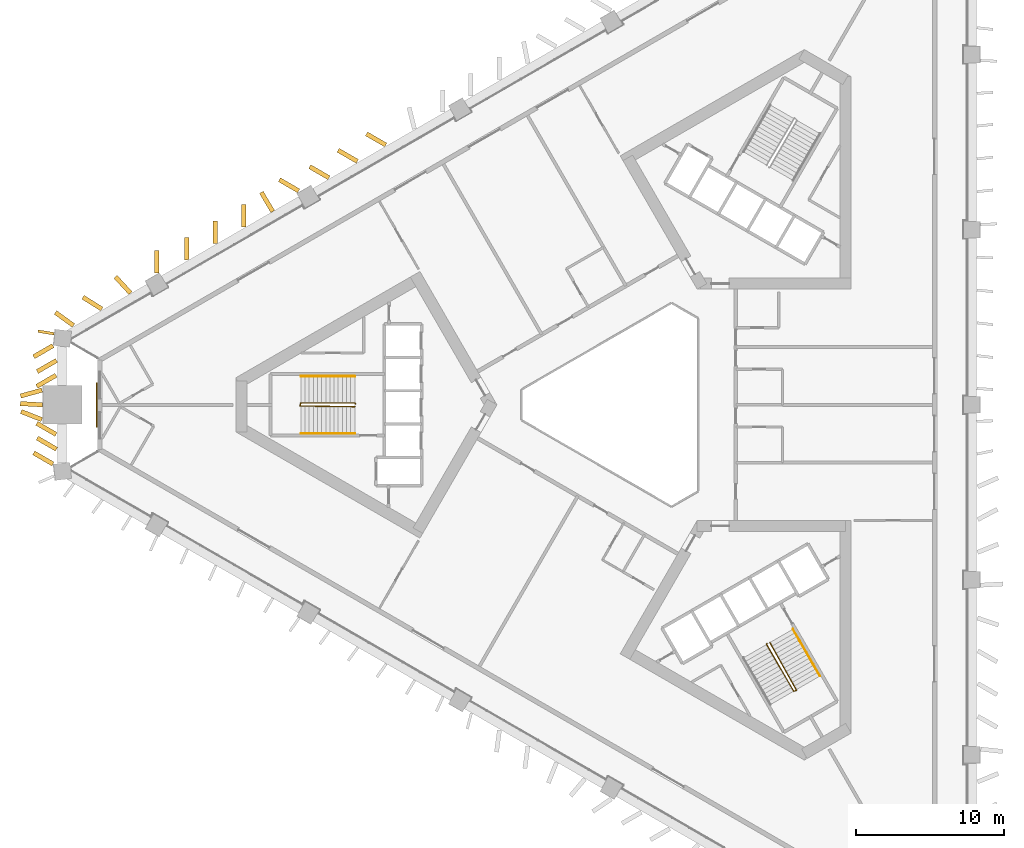
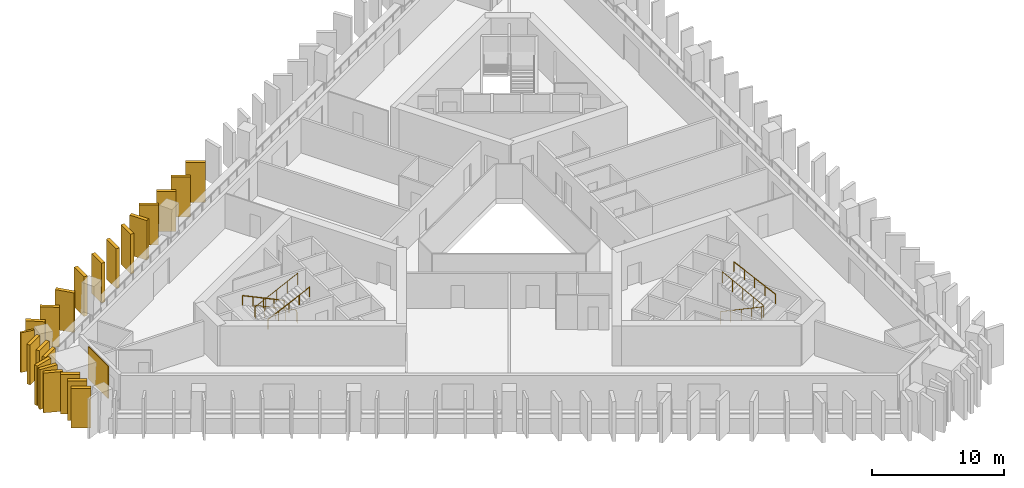
# One storey, part 9 of 11: 22 shading devices, 5 railings, 1 covering.
"""IFC4 building model written with IfcOpenShell, lengths in metres."""

from ifc_helpers import new_model, si_unit, direction, frame, frame_2d, origin, origin_2d, place, context, subcontext, project, spatial, rectangle, circle, extrude, material, layer, layer_set, type_object, element, save


model = new_model("IFC4")

# Units and contexts
model_context = context("Model", 3, precision=1e-05, world=origin(), true_north=direction((0.0, 1.0)))
body_context = subcontext(model_context, "Body", "Model", "MODEL_VIEW")
ifc_project = project(units=[si_unit("LENGTHUNIT", "METRE"), si_unit("AREAUNIT", "SQUARE_METRE"), si_unit("VOLUMEUNIT", "CUBIC_METRE"), si_unit("PLANEANGLEUNIT", "RADIAN"), si_unit("MASSUNIT", "GRAM", prefix="KILO")], contexts=[model_context])

# Site, building, storey
site_placement = place(None, origin())
site = spatial("IfcSite", under=ifc_project, at=site_placement, CompositionType="ELEMENT")
building_placement = place(site_placement, origin())
building = spatial("IfcBuilding", under=site, at=building_placement, Name="Jabali Bay Hotel Tower and Convention Centre", CompositionType="ELEMENT")
storey_placement = place(building_placement, frame((0.0, 0.0, 79.5)))
storey = spatial("IfcBuildingStorey", under=building, at=storey_placement, Name="L18", CompositionType="ELEMENT", Elevation=79.5)

# Shading devices
ifc_material_1 = material(Name="Precast concrete C60", Category="concrete")
ifc_layer_1 = layer(ifc_material_1, 0.179931640625)
ifc_layer_set_1 = layer_set([ifc_layer_1], Name="Precast concrete C60")
shading_device_type_1 = type_object("IfcShadingDeviceType", Name="Precast fin 3680 x 1100", PredefinedType="USERDEFINED", material=ifc_layer_set_1)
shading_device_1_placement = place(storey_placement, frame((36.15087890625, 84.789794921875, 0.010009765625), z_axis=(0.0, 0.0, 1.0), x_axis=(-0.987150929875, 0.159790618145, 0.0)))
element("IfcShadingDevice", 1, at=shading_device_1_placement, inside=storey, type_object=shading_device_type_1, Name="Fin L18 114", ObjectType="FIN", PredefinedType="USERDEFINED", context=body_context, shape_type="SweptSolid", body=[
    extrude(rectangle(XDim=1.10009765625, YDim=0.179931640625, at=frame_2d((0.550048828125, 0.0))), origin(), (0.0, 0.0, 1.0), 3.679931640625),
])
ifc_layer_2 = layer(ifc_material_1, 0.300048828125)
ifc_layer_set_2 = layer_set([ifc_layer_2], Name="Precast concrete C60")
shading_device_type_2 = type_object("IfcShadingDeviceType", Name="Precast fin 3680 x 1500", PredefinedType="USERDEFINED", material=ifc_layer_set_2)
for number, where, z_axis, x_axis, name in (
    (2, (58.5048828125, 97.517333984375, 0.010009765625), (0.0, 0.0, 1.0), (-0.866031096941, 0.499990139034, 0.0), "Fin L18 053"),
    (3, (56.590576171875, 96.412109375, 0.010009765625), (0.0, 0.0, 1.0), (-0.866031096941, 0.499990139034, 0.0), "Fin L18 054"),
):
    element("IfcShadingDevice", number, at=place(storey_placement, frame(where, z_axis=z_axis, x_axis=x_axis)), inside=storey, type_object=shading_device_type_2, Name=name, ObjectType="FIN", PredefinedType="USERDEFINED", context=body_context, shape_type="SweptSolid", body=[
        extrude(rectangle(XDim=1.5, YDim=0.300048828125, at=frame_2d((0.75, 0.0))), origin(), (0.0, 0.0, 1.0), 3.679931640625),
    ])
shading_device_2_placement = place(storey_placement, frame((54.676025390625, 95.306884765625, 0.010009765625), z_axis=(0.0, 0.0, 1.0), x_axis=(-0.86599040064, 0.500060622324, 0.0)))
element("IfcShadingDevice", 4, at=shading_device_2_placement, inside=storey, type_object=shading_device_type_2, Name="Fin L18 055", ObjectType="FIN", PredefinedType="USERDEFINED", context=body_context, shape_type="SweptSolid", body=[
    extrude(rectangle(XDim=1.499755859375, YDim=0.300048828125, at=frame_2d((0.75, 0.0))), origin(), (0.0, 0.0, 1.0), 3.679931640625),
])
shading_device_3_placement = place(storey_placement, frame((52.633056640625, 94.424560546875, 0.010009765625), z_axis=(0.0, 0.0, 1.0), x_axis=(-0.866031096941, 0.499990139034, 0.0)))
element("IfcShadingDevice", 5, at=shading_device_3_placement, inside=storey, type_object=shading_device_type_2, Name="Fin L18 056", ObjectType="FIN", PredefinedType="USERDEFINED", context=body_context, shape_type="SweptSolid", body=[
    extrude(rectangle(XDim=1.5, YDim=0.300048828125, at=frame_2d((0.75, 0.0))), origin(), (0.0, 0.0, 1.0), 3.679931640625),
])
shading_device_4_placement = place(storey_placement, frame((50.8837890625, 93.032958984375, 0.010009765625), z_axis=(0.0, 0.0, 1.0), x_axis=(-0.510324358511, 0.859982005108, 0.0)))
element("IfcShadingDevice", 6, at=shading_device_4_placement, inside=storey, type_object=shading_device_type_2, Name="Fin L18 057", ObjectType="FIN", PredefinedType="USERDEFINED", context=body_context, shape_type="SweptSolid", body=[
    extrude(rectangle(XDim=1.499755859375, YDim=0.300048828125, at=frame_2d((0.75, 0.0))), origin(), (0.0, 0.0, 1.0), 3.679931640625),
])
for number, where, z_axis, x_axis, name in (
    (7, (48.932861328125, 91.990966796875, 0.010009765625), (0.0, 0.0, 1.0), (0.0, 1.0, 0.0), "Fin L18 058"),
    (8, (47.0185546875, 90.8857421875, 0.010009765625), (0.0, 0.0, 1.0), (-0.000325520816, 0.999999947018, 0.0), "Fin L18 059"),
    (9, (45.10400390625, 89.7802734375, 0.010009765625), (0.0, 0.0, 1.0), (-0.000651041529, 0.999999788072, 0.0), "Fin L18 060"),
    (10, (43.06103515625, 88.89794921875, 0.010009765625), (0.0, 0.0, 1.0), (-0.002766916492, 0.999996172079, 0.0), "Fin L18 061"),
    (11, (41.29638671875, 87.533203125, 0.010009765625), (0.0, 0.0, 1.0), (-0.677116473603, 0.735875859894, 0.0), "Fin L18 062"),
):
    element("IfcShadingDevice", number, at=place(storey_placement, frame(where, z_axis=z_axis, x_axis=x_axis)), inside=storey, type_object=shading_device_type_2, Name=name, ObjectType="FIN", PredefinedType="USERDEFINED", context=body_context, shape_type="SweptSolid", body=[
        extrude(rectangle(XDim=1.5, YDim=0.300048828125, at=frame_2d((0.75, 0.0))), origin(), (0.0, 0.0, 1.0), 3.679931640625),
    ])
shading_device_5_placement = place(storey_placement, frame((39.363037109375, 86.46044921875, 0.010009765625), z_axis=(0.0, 0.0, 1.0), x_axis=(-0.847897697117, 0.530159877041, 0.0)))
element("IfcShadingDevice", 12, at=shading_device_5_placement, inside=storey, type_object=shading_device_type_2, Name="Fin L18 063", ObjectType="FIN", PredefinedType="USERDEFINED", context=body_context, shape_type="SweptSolid", body=[
    extrude(rectangle(XDim=1.499755859375, YDim=0.300048828125, at=frame_2d((0.75, 0.0))), origin(), (0.0, 0.0, 1.0), 3.679931640625),
])
for number, where, z_axis, x_axis, name in (
    (13, (37.453369140625, 85.34716796875, 0.010009765625), (0.0, 0.0, 1.0), (-0.809277711211, 0.58742623889, 0.0), "Fin L18 064"),
    (14, (36.072509765625, 83.98974609375, 0.010009765625), (0.0, 0.0, 1.0), (-0.866031096941, -0.499990139034, 0.0), "Fin L18 065"),
    (15, (36.31103515625, 82.9921875, 0.010009765625), (0.0, 0.0, 1.0), (-0.866031096941, -0.499990139034, 0.0), "Fin L18 066"),
    (16, (36.27734375, 81.994873046875, 0.010009765625), (0.0, 0.0, 1.0), (-0.866031096941, -0.499990139034, 0.0), "Fin L18 067"),
    (17, (35.333251953125, 80.997314453125, 0.010009765625), (0.0, 0.0, 1.0), (-0.962760893418, -0.27035432696, 0.0), "Fin L18 068"),
    (18, (35.365478515625, 80.0, 0.010009765625), (0.0, 0.0, 1.0), (-0.99845885055, 0.055497060805, 0.0), "Fin L18 069"),
):
    element("IfcShadingDevice", number, at=place(storey_placement, frame(where, z_axis=z_axis, x_axis=x_axis)), inside=storey, type_object=shading_device_type_2, Name=name, ObjectType="FIN", PredefinedType="USERDEFINED", context=body_context, shape_type="SweptSolid", body=[
        extrude(rectangle(XDim=1.5, YDim=0.300048828125, at=frame_2d((0.75, 0.0))), origin(), (0.0, 0.0, 1.0), 3.679931640625),
    ])
shading_device_6_placement = place(storey_placement, frame((35.319091796875, 79.002685546875, 0.010009765625), z_axis=(0.0, 0.0, 1.0), x_axis=(-0.931597787142, 0.363490801798, 0.0)))
element("IfcShadingDevice", 19, at=shading_device_6_placement, inside=storey, type_object=shading_device_type_2, Name="Fin L18 070", ObjectType="FIN", PredefinedType="USERDEFINED", context=body_context, shape_type="SweptSolid", body=[
    extrude(rectangle(XDim=1.499755859375, YDim=0.300048828125, at=frame_2d((0.75, 0.0))), origin(), (0.0, 0.0, 1.0), 3.679931640625),
])
for number, where, z_axis, x_axis, name in (
    (20, (36.27734375, 78.005126953125, 0.010009765625), (0.0, 0.0, 1.0), (-0.866031096941, 0.499990139034, 0.0), "Fin L18 071"),
    (21, (36.31103515625, 77.0078125, 0.010009765625), (0.0, 0.0, 1.0), (-0.866031096941, 0.499990139034, 0.0), "Fin L18 072"),
    (22, (36.072509765625, 76.01025390625, 0.010009765625), (0.0, 0.0, 1.0), (-0.866031096941, 0.499990139034, 0.0), "Fin L18 073"),
):
    element("IfcShadingDevice", number, at=place(storey_placement, frame(where, z_axis=z_axis, x_axis=x_axis)), inside=storey, type_object=shading_device_type_2, Name=name, ObjectType="FIN", PredefinedType="USERDEFINED", context=body_context, shape_type="SweptSolid", body=[
        extrude(rectangle(XDim=1.5, YDim=0.300048828125, at=frame_2d((0.75, 0.0))), origin(), (0.0, 0.0, 1.0), 3.679931640625),
    ])

# Covering
ifc_material_2 = material(Name="Precast concrete C40/50", Category="concrete")
ifc_layer_3 = layer(ifc_material_2, 0.080078125)
ifc_layer_set_3 = layer_set([ifc_layer_3], Name="Precast concrete C40/50")
covering_type = type_object("IfcCoveringType", Name="Relief panel 3000 x 3000", PredefinedType="CLADDING", material=ifc_layer_set_3)
covering_placement = place(storey_placement, frame((39.032958984375, 80.0, 0.10009765625), z_axis=(0.0, 0.0, 1.0), x_axis=(0.0, 1.0, 0.0)))
element("IfcCovering", 23, at=covering_placement, inside=storey, type_object=covering_type, Name="Relief panel L18", PredefinedType="CLADDING", context=body_context, shape_type="SweptSolid", body=[
    extrude(rectangle(XDim=3.0, YDim=0.080078125, at=origin_2d()), origin(), (0.0, 0.0, 1.0), 3.0),
])

# Railings
ifc_material_3 = material(Name="Steel Q355B", Category="steel")
railing_type_1 = type_object("IfcRailingType", Name="Stair guard 1100", PredefinedType="GUARDRAIL", material=ifc_material_3)
railing_1_placement = place(storey_placement, frame((56.469970703125, 80.074951171875, 0.0)))
element("IfcRailing", 24, at=railing_1_placement, inside=storey, type_object=railing_type_1, Name="L18 ST1 stair guard 1", PredefinedType="GUARDRAIL", context=body_context, shape_type="SweptSolid", body=[
    extrude(circle(Radius=0.02392578125, at=origin_2d()), frame((0.0, 0.0, 1.076171875), z_axis=(-0.333993628408, 0.333993628408, 0.881417331555), x_axis=(-0.707106781187, -0.707106781187, 0.0)), (0.0, 0.0, 1.0), 0.14990234375),
    extrude(circle(Radius=0.02392578125, at=origin_2d()), frame((-0.050048828125, 0.050048828125, 1.2080078125), z_axis=(-0.904327350853, 0.0, 0.426839598092), x_axis=(0.0, -1.0, 0.0)), (0.0, 0.0, 1.0), 4.02490234375),
    extrude(circle(Radius=0.02392578125, at=origin_2d()), frame((-3.68994140625, 0.050048828125, 2.92626953125), z_axis=(-0.242814311512, -0.970072785993, 0.0), x_axis=(0.970072785993, -0.242814311512, 0.0)), (0.0, 0.0, 1.0), 0.2060546875),
    extrude(circle(Radius=0.02392578125, at=origin_2d()), frame((-3.739990234375, -0.14990234375, 2.92626953125), z_axis=(0.893887803671, -0.012124321804, 0.4481267625), x_axis=(0.013562335953, 0.999908027292, 0.0)), (0.0, 0.0, 1.0), 4.1279296875),
    extrude(circle(Radius=0.02099609375, at=origin_2d()), origin(), (0.0, 0.0, 1.0), 1.052001953125),
    extrude(circle(Radius=0.02099609375, at=origin_2d()), frame((-0.050048828125, 0.050048828125, 0.132080078125)), (0.0, 0.0, 1.0), 1.052001953125),
    extrude(circle(Radius=0.02099609375, at=origin_2d()), frame((-0.9599609375, 0.050048828125, 0.5615234375)), (0.0, 0.0, 1.0), 1.052001953125),
    extrude(circle(Radius=0.02099609375, at=origin_2d()), frame((-1.8701171875, 0.050048828125, 0.9912109375)), (0.0, 0.0, 1.0), 1.052001953125),
    extrude(circle(Radius=0.02099609375, at=origin_2d()), frame((-2.780029296875, 0.050048828125, 1.420654296875)), (0.0, 0.0, 1.0), 1.052001953125),
    extrude(circle(Radius=0.02099609375, at=origin_2d()), frame((-3.68994140625, 0.050048828125, 1.85009765625)), (0.0, 0.0, 1.0), 1.052001953125),
    extrude(circle(Radius=0.02099609375, at=origin_2d()), frame((-3.739990234375, -0.14990234375, 1.85009765625)), (0.0, 0.0, 1.0), 1.052001953125),
    extrude(circle(Radius=0.02099609375, at=origin_2d()), frame((-2.8173828125, -0.162353515625, 2.3125)), (0.0, 0.0, 1.0), 1.052001953125),
    extrude(circle(Radius=0.02099609375, at=origin_2d()), frame((-1.89501953125, -0.1748046875, 2.77490234375)), (0.0, 0.0, 1.0), 1.052001953125),
    extrude(circle(Radius=0.02099609375, at=origin_2d()), frame((-0.97265625, -0.1875, 3.237548828125)), (0.0, 0.0, 1.0), 1.052001953125),
    extrude(circle(Radius=0.02099609375, at=origin_2d()), frame((-0.050048828125, -0.199951171875, 3.699951171875)), (0.0, 0.0, 1.0), 1.052001953125),
])
railing_2_placement = place(storey_placement, frame((84.199951171875, 63.9150390625, 0.0)))
element("IfcRailing", 25, at=railing_2_placement, inside=storey, type_object=railing_type_1, Name="L18 ST3 stair guard 1", PredefinedType="GUARDRAIL", context=body_context, shape_type="SweptSolid", body=[
    extrude(circle(Radius=0.02392578125, at=origin_2d()), frame((0.0, 0.0, 1.076171875), z_axis=(-0.122196845461, -0.456201556387, 0.881446578591), x_axis=(0.965948051503, -0.258736085224, 0.0)), (0.0, 0.0, 1.0), 0.14990234375),
    extrude(circle(Radius=0.02392578125, at=origin_2d()), frame((-0.018310546875, -0.068359375, 1.2080078125), z_axis=(0.45217862506, -0.783169739339, 0.426825081763), x_axis=(0.866018046521, 0.500012742938, 0.0)), (0.0, 0.0, 1.0), 4.025146484375),
    extrude(circle(Radius=0.02392578125, at=origin_2d()), frame((1.8017578125, -3.220703125, 2.92626953125), z_axis=(0.96121063429, 0.275815366736, 0.0), x_axis=(-0.275815366736, 0.96121063429, 0.0)), (0.0, 0.0, 1.0), 0.206298828125),
    extrude(circle(Radius=0.02392578125, at=origin_2d()), frame((2.0, -3.163818359375, 2.92626953125), z_axis=(-0.436481798955, 0.780166857725, 0.448133142368), x_axis=(-0.872702246529, -0.488252792008, 0.0)), (0.0, 0.0, 1.0), 4.1279296875),
    extrude(circle(Radius=0.02099609375, at=origin_2d()), origin(), (0.0, 0.0, 1.0), 1.052001953125),
    extrude(circle(Radius=0.02099609375, at=origin_2d()), frame((-0.018310546875, -0.068359375, 0.132080078125)), (0.0, 0.0, 1.0), 1.052001953125),
    extrude(circle(Radius=0.02099609375, at=origin_2d()), frame((0.436767578125, -0.8564453125, 0.5615234375)), (0.0, 0.0, 1.0), 1.052001953125),
    extrude(circle(Radius=0.02099609375, at=origin_2d()), frame((0.8916015625, -1.64453125, 0.9912109375)), (0.0, 0.0, 1.0), 1.052001953125),
    extrude(circle(Radius=0.02099609375, at=origin_2d()), frame((1.3466796875, -2.4326171875, 1.420654296875)), (0.0, 0.0, 1.0), 1.052001953125),
    extrude(circle(Radius=0.02099609375, at=origin_2d()), frame((1.8017578125, -3.220703125, 1.85009765625)), (0.0, 0.0, 1.0), 1.052001953125),
    extrude(circle(Radius=0.02099609375, at=origin_2d()), frame((2.0, -3.163818359375, 1.85009765625)), (0.0, 0.0, 1.0), 1.052001953125),
    extrude(circle(Radius=0.02099609375, at=origin_2d()), frame((1.549560546875, -2.358642578125, 2.3125)), (0.0, 0.0, 1.0), 1.052001953125),
    extrude(circle(Radius=0.02099609375, at=origin_2d()), frame((1.09912109375, -1.5537109375, 2.77490234375)), (0.0, 0.0, 1.0), 1.052001953125),
    extrude(circle(Radius=0.02099609375, at=origin_2d()), frame((0.648681640625, -0.74853515625, 3.237548828125)), (0.0, 0.0, 1.0), 1.052001953125),
    extrude(circle(Radius=0.02099609375, at=origin_2d()), frame((0.1982421875, 0.056640625, 3.699951171875)), (0.0, 0.0, 1.0), 1.052001953125),
])
railing_type_2 = type_object("IfcRailingType", Name="Stair handrail 900", PredefinedType="HANDRAIL", material=ifc_material_3)
railing_3_placement = place(storey_placement, frame((56.419921875, 81.925048828125, 0.132080078125)))
element("IfcRailing", 26, at=railing_3_placement, inside=storey, type_object=railing_type_2, Name="L18 ST1 stair handrail 1", PredefinedType="HANDRAIL", context=body_context, shape_type="SweptSolid", body=[
    extrude(circle(Radius=0.02392578125, at=origin_2d()), frame((0.0, 0.0, 0.8759765625), z_axis=(-0.904327350853, 0.0, 0.426839598092), x_axis=(0.0, -1.0, 0.0)), (0.0, 0.0, 1.0), 4.02490234375),
    extrude(circle(Radius=0.02099609375, at=origin_2d()), origin(), (0.0, 0.0, 1.0), 0.851806640625),
    extrude(circle(Radius=0.02099609375, at=origin_2d()), frame((-0.909912109375, 0.0, 0.429443359375)), (0.0, 0.0, 1.0), 0.851806640625),
    extrude(circle(Radius=0.02099609375, at=origin_2d()), frame((-1.81982421875, 0.0, 0.85888671875)), (0.0, 0.0, 1.0), 0.851806640625),
    extrude(circle(Radius=0.02099609375, at=origin_2d()), frame((-2.72998046875, 0.0, 1.28857421875)), (0.0, 0.0, 1.0), 0.851806640625),
    extrude(circle(Radius=0.02099609375, at=origin_2d()), frame((-3.639892578125, 0.0, 1.718017578125)), (0.0, 0.0, 1.0), 0.851806640625),
])
railing_4_placement = place(storey_placement, frame((52.780029296875, 78.074951171875, 1.982177734375)))
element("IfcRailing", 27, at=railing_4_placement, inside=storey, type_object=railing_type_2, Name="L18 ST1 stair handrail 2", PredefinedType="HANDRAIL", context=body_context, shape_type="SweptSolid", body=[
    extrude(circle(Radius=0.02392578125, at=origin_2d()), frame((0.0, 0.0, 0.8759765625), z_axis=(0.904350763662, 0.0, 0.426789990819), x_axis=(0.0, 1.0, 0.0)), (0.0, 0.0, 1.0), 4.02490234375),
    extrude(circle(Radius=0.02099609375, at=origin_2d()), origin(), (0.0, 0.0, 1.0), 0.851806640625),
    extrude(circle(Radius=0.02099609375, at=origin_2d()), frame((0.909912109375, 0.0, 0.429443359375)), (0.0, 0.0, 1.0), 0.851806640625),
    extrude(circle(Radius=0.02099609375, at=origin_2d()), frame((1.81982421875, 0.0, 0.85888671875)), (0.0, 0.0, 1.0), 0.851806640625),
    extrude(circle(Radius=0.02099609375, at=origin_2d()), frame((2.72998046875, 0.0, 1.288330078125)), (0.0, 0.0, 1.0), 0.851806640625),
    extrude(circle(Radius=0.02099609375, at=origin_2d()), frame((3.639892578125, 0.0, 1.7177734375)), (0.0, 0.0, 1.0), 0.851806640625),
])
railing_5_placement = place(storey_placement, frame((87.777099609375, 61.719482421875, 1.982177734375)))
element("IfcRailing", 28, at=railing_5_placement, inside=storey, type_object=railing_type_2, Name="L18 ST3 stair handrail 2", PredefinedType="HANDRAIL", context=body_context, shape_type="SweptSolid", body=[
    extrude(circle(Radius=0.02392578125, at=origin_2d()), frame((0.0, 0.0, 0.8759765625), z_axis=(-0.452190331055, 0.783190014029, 0.426775475427), x_axis=(-0.866018046521, -0.500012742938, 0.0)), (0.0, 0.0, 1.0), 4.02490234375),
    extrude(circle(Radius=0.02099609375, at=origin_2d()), origin(), (0.0, 0.0, 1.0), 0.851806640625),
    extrude(circle(Radius=0.02099609375, at=origin_2d()), frame((-0.455078125, 0.7880859375, 0.429443359375)), (0.0, 0.0, 1.0), 0.851806640625),
    extrude(circle(Radius=0.02099609375, at=origin_2d()), frame((-0.91015625, 1.576171875, 0.85888671875)), (0.0, 0.0, 1.0), 0.851806640625),
    extrude(circle(Radius=0.02099609375, at=origin_2d()), frame((-1.364990234375, 2.3642578125, 1.288330078125)), (0.0, 0.0, 1.0), 0.851806640625),
    extrude(circle(Radius=0.02099609375, at=origin_2d()), frame((-1.820068359375, 3.15234375, 1.7177734375)), (0.0, 0.0, 1.0), 0.851806640625),
])

save(model, "model.ifc")
